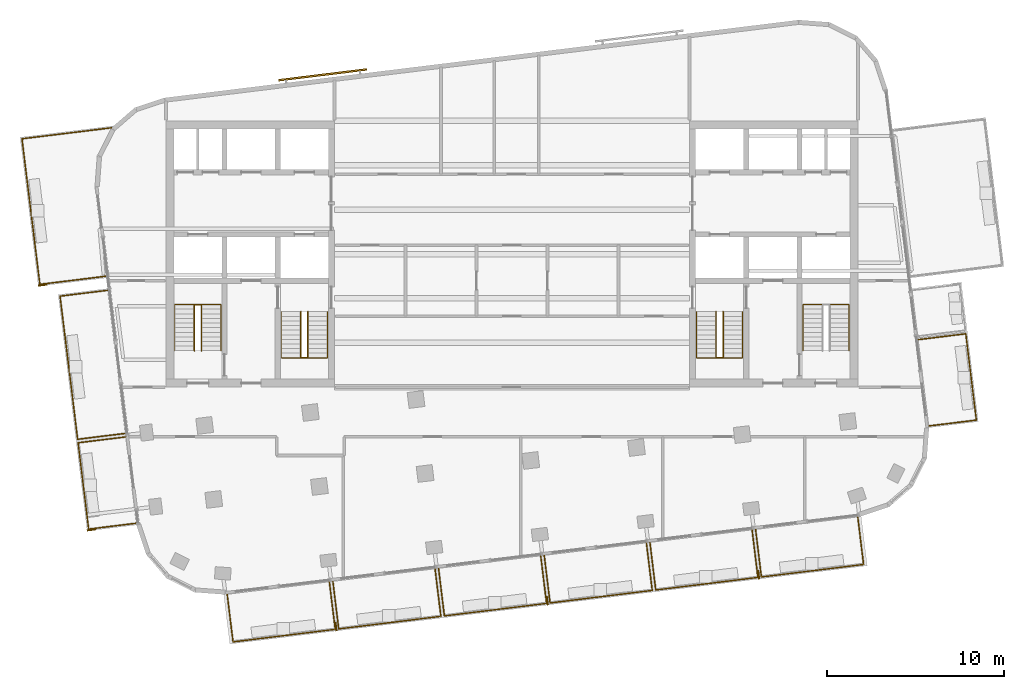
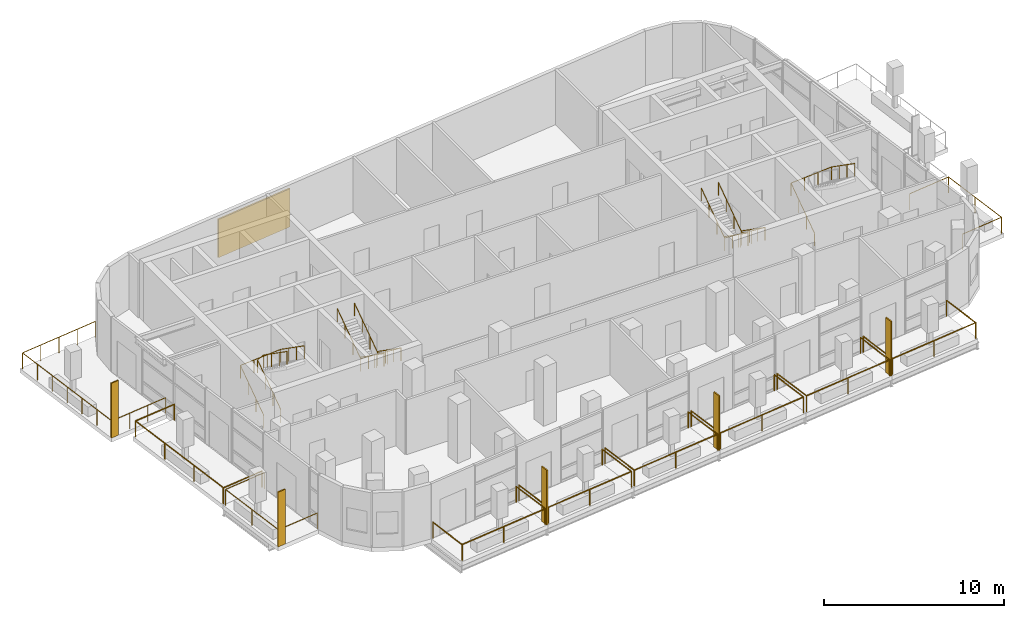
# One storey, part 12 of 14: 17 railings, 6 shading devices.
"""IFC4 building model written with IfcOpenShell, lengths in metres."""

from ifc_helpers import new_model, si_unit, direction, frame, origin, origin_2d, place, context, subcontext, project, spatial, rectangle, circle, extrude, material, layer, layer_set, type_object, element, save


model = new_model("IFC4")

# Units and contexts
model_context = context("Model", 3, precision=1e-05, world=origin(), true_north=direction((0.0, 1.0)))
body_context = subcontext(model_context, "Body", "Model", "MODEL_VIEW")
ifc_project = project(units=[si_unit("LENGTHUNIT", "METRE"), si_unit("AREAUNIT", "SQUARE_METRE"), si_unit("VOLUMEUNIT", "CUBIC_METRE"), si_unit("PLANEANGLEUNIT", "RADIAN"), si_unit("MASSUNIT", "GRAM", prefix="KILO")], contexts=[model_context])

# Site, building, storey
site_placement = place(None, origin())
site = spatial("IfcSite", under=ifc_project, at=site_placement, CompositionType="ELEMENT")
building_placement = place(site_placement, origin())
building = spatial("IfcBuilding", under=site, at=building_placement, Name="Torana Hotel and Residences", CompositionType="ELEMENT")
storey_placement = place(building_placement, frame((0.0, 0.0, 338.60009765625)))
storey = spatial("IfcBuildingStorey", under=building, at=storey_placement, Name="L89", CompositionType="ELEMENT", Elevation=338.60009765625)

# Shading devices
ifc_material_1 = material(Name="Black powder coated aluminium", Category="aluminium")
ifc_layer_1 = layer(ifc_material_1, 0.080078125)
ifc_layer_set_1 = layer_set([ifc_layer_1], Name="FN1 VERTICAL FIN 500x80")
shading_device_type_1 = type_object("IfcShadingDeviceType", Name="FN1 VERTICAL FIN 500x80", PredefinedType="USERDEFINED", material=ifc_layer_set_1)
for number, where, z_axis, x_axis, name in (
    (1, (-9.921142578125, -28.4931640625, 0.0), (0.0, 0.0, 1.0), (-0.99254657704, -0.121865878765, 0.0), "Fin 01"),
    (2, (1.989501953125, -27.03076171875, 0.0), (0.0, 0.0, 1.0), (-0.99254657704, -0.121865878765, 0.0), "Fin 03"),
    (3, (13.89990234375, -25.568359375, 0.0), (0.0, 0.0, 1.0), (-0.99254657704, -0.121865878765, 0.0), "Fin 05"),
    (4, (-23.6982421875, -23.04150390625, 0.0), (0.0, 0.0, 1.0), (-0.121881469635, 0.992544662652, 0.0), "Fin 07"),
    (5, (-26.44970703125, -9.2490234375, 0.0), (0.0, 0.0, 1.0), (-0.121871075725, 0.992545938938, 0.0), "Fin 09"),
):
    element("IfcShadingDevice", number, at=place(storey_placement, frame(where, z_axis=z_axis, x_axis=x_axis)), inside=storey, type_object=shading_device_type_1, Name=name, ObjectType="FIN", PredefinedType="USERDEFINED", context=body_context, shape_type="SweptSolid", body=[
        extrude(rectangle(XDim=0.080078125, YDim=0.5, at=origin_2d()), origin(), (0.0, 0.0, 1.0), 3.719970703125),
    ])

# Railings
ifc_material_2 = material(Name="Laminated glass balustrade with black handrail", Category="glass")
railing_type_1 = type_object("IfcRailingType", Name="GR1 BALCONY GUARD 1100 GLASS", PredefinedType="GUARDRAIL", material=ifc_material_2)
railing_1_placement = place(storey_placement, frame((-10.29150390625, -25.969482421875, 0.0)))
element("IfcRailing", 6, at=railing_1_placement, inside=storey, type_object=railing_type_1, Name="Balcony guard 01", PredefinedType="GUARDRAIL", context=body_context, shape_type="SweptSolid", body=[
    extrude(circle(Radius=0.02392578125, at=origin_2d()), frame((0.0, 0.0, 1.076171875), z_axis=(0.121886613265, -0.992544031017, 0.0), x_axis=(0.992544031017, 0.121886613265, 0.0)), (0.0, 0.0, 1.0), 2.699951171875),
    extrude(circle(Radius=0.02392578125, at=origin_2d()), frame((0.3291015625, -2.679931640625, 1.076171875), z_axis=(-0.992547475119, -0.121858564057, 0.0), x_axis=(0.121858564057, -0.992547475119, 0.0)), (0.0, 0.0, 1.0), 5.800048828125),
    extrude(circle(Radius=0.02392578125, at=origin_2d()), frame((-5.427734375, -3.38671875, 1.076171875), z_axis=(-0.121797534772, 0.992554965996, 0.0), x_axis=(-0.992554965996, -0.121797534772, 0.0)), (0.0, 0.0, 1.0), 2.699951171875),
    extrude(circle(Radius=0.02099609375, at=origin_2d()), origin(), (0.0, 0.0, 1.0), 1.052001953125),
    extrude(circle(Radius=0.02099609375, at=origin_2d()), frame((0.3291015625, -2.679931640625, 0.0)), (0.0, 0.0, 1.0), 1.052001953125),
    extrude(circle(Radius=0.02099609375, at=origin_2d()), frame((-2.54931640625, -3.033203125, 0.0)), (0.0, 0.0, 1.0), 1.052001953125),
    extrude(circle(Radius=0.02099609375, at=origin_2d()), frame((-5.427734375, -3.38671875, 0.0)), (0.0, 0.0, 1.0), 1.052001953125),
    extrude(circle(Radius=0.02099609375, at=origin_2d()), frame((-5.756591796875, -0.706787109375, 0.0)), (0.0, 0.0, 1.0), 1.052001953125),
])
for number, where, name in (
    (7, (-4.336181640625, -25.23828125, 0.0), "Balcony guard 02"),
    (8, (1.619140625, -24.507080078125, 0.0), "Balcony guard 03"),
):
    element("IfcRailing", number, at=place(storey_placement, frame(where)), inside=storey, type_object=railing_type_1, Name=name, PredefinedType="GUARDRAIL", context=body_context, shape_type="SweptSolid", body=[
        extrude(circle(Radius=0.02392578125, at=origin_2d()), frame((0.0, 0.0, 1.076171875), z_axis=(0.121886613265, -0.992544031017, 0.0), x_axis=(0.992544031017, 0.121886613265, 0.0)), (0.0, 0.0, 1.0), 2.699951171875),
        extrude(circle(Radius=0.02392578125, at=origin_2d()), frame((0.3291015625, -2.679931640625, 1.076171875), z_axis=(-0.992547475119, -0.121858564057, 0.0), x_axis=(0.121858564057, -0.992547475119, 0.0)), (0.0, 0.0, 1.0), 5.800048828125),
        extrude(circle(Radius=0.02392578125, at=origin_2d()), frame((-5.427734375, -3.38671875, 1.076171875), z_axis=(-0.121886613265, 0.992544031017, 0.0), x_axis=(-0.992544031017, -0.121886613265, 0.0)), (0.0, 0.0, 1.0), 2.699951171875),
        extrude(circle(Radius=0.02099609375, at=origin_2d()), origin(), (0.0, 0.0, 1.0), 1.052001953125),
        extrude(circle(Radius=0.02099609375, at=origin_2d()), frame((0.3291015625, -2.679931640625, 0.0)), (0.0, 0.0, 1.0), 1.052001953125),
        extrude(circle(Radius=0.02099609375, at=origin_2d()), frame((-2.54931640625, -3.033203125, 0.0)), (0.0, 0.0, 1.0), 1.052001953125),
        extrude(circle(Radius=0.02099609375, at=origin_2d()), frame((-5.427734375, -3.38671875, 0.0)), (0.0, 0.0, 1.0), 1.052001953125),
        extrude(circle(Radius=0.02099609375, at=origin_2d()), frame((-5.7568359375, -0.706787109375, 0.0)), (0.0, 0.0, 1.0), 1.052001953125),
    ])
railing_2_placement = place(storey_placement, frame((7.57421875, -23.77587890625, 0.0)))
element("IfcRailing", 9, at=railing_2_placement, inside=storey, type_object=railing_type_1, Name="Balcony guard 04", PredefinedType="GUARDRAIL", context=body_context, shape_type="SweptSolid", body=[
    extrude(circle(Radius=0.02392578125, at=origin_2d()), frame((0.0, 0.0, 1.076171875), z_axis=(0.121886613265, -0.992544031017, 0.0), x_axis=(0.992544031017, 0.121886613265, 0.0)), (0.0, 0.0, 1.0), 2.699951171875),
    extrude(circle(Radius=0.02392578125, at=origin_2d()), frame((0.3291015625, -2.679931640625, 1.076171875), z_axis=(-0.992546850023, -0.121863655406, 0.0), x_axis=(0.121863655406, -0.992546850023, 0.0)), (0.0, 0.0, 1.0), 5.7998046875),
    extrude(circle(Radius=0.02392578125, at=origin_2d()), frame((-5.427490234375, -3.38671875, 1.076171875), z_axis=(-0.121886613265, 0.992544031017, 0.0), x_axis=(-0.992544031017, -0.121886613265, 0.0)), (0.0, 0.0, 1.0), 2.699951171875),
    extrude(circle(Radius=0.02099609375, at=origin_2d()), origin(), (0.0, 0.0, 1.0), 1.052001953125),
    extrude(circle(Radius=0.02099609375, at=origin_2d()), frame((0.3291015625, -2.679931640625, 0.0)), (0.0, 0.0, 1.0), 1.052001953125),
    extrude(circle(Radius=0.02099609375, at=origin_2d()), frame((-2.54931640625, -3.033203125, 0.0)), (0.0, 0.0, 1.0), 1.052001953125),
    extrude(circle(Radius=0.02099609375, at=origin_2d()), frame((-5.427490234375, -3.38671875, 0.0)), (0.0, 0.0, 1.0), 1.052001953125),
    extrude(circle(Radius=0.02099609375, at=origin_2d()), frame((-5.756591796875, -0.706787109375, 0.0)), (0.0, 0.0, 1.0), 1.052001953125),
])
for number, where, name in (
    (10, (13.529541015625, -23.044677734375, 0.0), "Balcony guard 05"),
    (11, (19.48486328125, -22.3134765625, 0.0), "Balcony guard 06"),
):
    element("IfcRailing", number, at=place(storey_placement, frame(where)), inside=storey, type_object=railing_type_1, Name=name, PredefinedType="GUARDRAIL", context=body_context, shape_type="SweptSolid", body=[
        extrude(circle(Radius=0.02392578125, at=origin_2d()), frame((0.0, 0.0, 1.076171875), z_axis=(0.121886613265, -0.992544031017, 0.0), x_axis=(0.992544031017, 0.121886613265, 0.0)), (0.0, 0.0, 1.0), 2.699951171875),
        extrude(circle(Radius=0.02392578125, at=origin_2d()), frame((0.3291015625, -2.679931640625, 1.076171875), z_axis=(-0.992547475119, -0.121858564057, 0.0), x_axis=(0.121858564057, -0.992547475119, 0.0)), (0.0, 0.0, 1.0), 5.800048828125),
        extrude(circle(Radius=0.02392578125, at=origin_2d()), frame((-5.427734375, -3.38671875, 1.076171875), z_axis=(-0.121797534772, 0.992554965996, 0.0), x_axis=(-0.992554965996, -0.121797534772, 0.0)), (0.0, 0.0, 1.0), 2.699951171875),
        extrude(circle(Radius=0.02099609375, at=origin_2d()), origin(), (0.0, 0.0, 1.0), 1.052001953125),
        extrude(circle(Radius=0.02099609375, at=origin_2d()), frame((0.3291015625, -2.679931640625, 0.0)), (0.0, 0.0, 1.0), 1.052001953125),
        extrude(circle(Radius=0.02099609375, at=origin_2d()), frame((-2.54931640625, -3.033203125, 0.0)), (0.0, 0.0, 1.0), 1.052001953125),
        extrude(circle(Radius=0.02099609375, at=origin_2d()), frame((-5.427734375, -3.38671875, 0.0)), (0.0, 0.0, 1.0), 1.052001953125),
        extrude(circle(Radius=0.02099609375, at=origin_2d()), frame((-5.756591796875, -0.706787109375, 0.0)), (0.0, 0.0, 1.0), 1.052001953125),
    ])
railing_3_placement = place(storey_placement, frame((-21.174560546875, -22.671142578125, 0.0)))
element("IfcRailing", 12, at=railing_3_placement, inside=storey, type_object=railing_type_1, Name="Balcony guard 07", PredefinedType="GUARDRAIL", context=body_context, shape_type="SweptSolid", body=[
    extrude(circle(Radius=0.02392578125, at=origin_2d()), frame((0.0, 0.0, 1.076171875), z_axis=(-0.992544031017, -0.121886613265, 0.0), x_axis=(0.121886613265, -0.992544031017, 0.0)), (0.0, 0.0, 1.0), 2.699951171875),
    extrude(circle(Radius=0.02392578125, at=origin_2d()), frame((-2.679931640625, -0.3291015625, 1.076171875), z_axis=(-0.121869773493, 0.992546098833, 0.0), x_axis=(-0.992546098833, -0.121869773493, 0.0)), (0.0, 0.0, 1.0), 4.900146484375),
    extrude(circle(Radius=0.02392578125, at=origin_2d()), frame((-3.277099609375, 4.534423828125, 1.076171875), z_axis=(0.992554965996, 0.121797534772, 0.0), x_axis=(-0.121797534772, 0.992554965996, 0.0)), (0.0, 0.0, 1.0), 2.699951171875),
    extrude(circle(Radius=0.02099609375, at=origin_2d()), origin(), (0.0, 0.0, 1.0), 1.052001953125),
    extrude(circle(Radius=0.02099609375, at=origin_2d()), frame((-2.679931640625, -0.3291015625, 0.0)), (0.0, 0.0, 1.0), 1.052001953125),
    extrude(circle(Radius=0.02099609375, at=origin_2d()), frame((-2.978515625, 2.1025390625, 0.0)), (0.0, 0.0, 1.0), 1.052001953125),
    extrude(circle(Radius=0.02099609375, at=origin_2d()), frame((-3.277099609375, 4.534423828125, 0.0)), (0.0, 0.0, 1.0), 1.052001953125),
    extrude(circle(Radius=0.02099609375, at=origin_2d()), frame((-0.59716796875, 4.86328125, 0.0)), (0.0, 0.0, 1.0), 1.052001953125),
])
railing_4_placement = place(storey_placement, frame((-21.796142578125, -17.609130859375, 0.0)))
element("IfcRailing", 13, at=railing_4_placement, inside=storey, type_object=railing_type_1, Name="Balcony guard 08", PredefinedType="GUARDRAIL", context=body_context, shape_type="SweptSolid", body=[
    extrude(circle(Radius=0.02392578125, at=origin_2d()), frame((0.0, 0.0, 1.076171875), z_axis=(-0.992544031017, -0.121886613265, 0.0), x_axis=(0.121886613265, -0.992544031017, 0.0)), (0.0, 0.0, 1.0), 2.699951171875),
    extrude(circle(Radius=0.02392578125, at=origin_2d()), frame((-2.679931640625, -0.3291015625, 1.076171875), z_axis=(-0.121845081243, 0.992549130359, 0.0), x_axis=(-0.992549130359, -0.121845081243, 0.0)), (0.0, 0.0, 1.0), 8.125),
    extrude(circle(Radius=0.02392578125, at=origin_2d()), frame((-3.669921875, 7.7353515625, 1.076171875), z_axis=(0.992554965996, 0.121797534772, 0.0), x_axis=(-0.121797534772, 0.992554965996, 0.0)), (0.0, 0.0, 1.0), 2.699951171875),
    extrude(circle(Radius=0.02099609375, at=origin_2d()), origin(), (0.0, 0.0, 1.0), 1.052001953125),
    extrude(circle(Radius=0.02099609375, at=origin_2d()), frame((-2.679931640625, -0.3291015625, 0.0)), (0.0, 0.0, 1.0), 1.052001953125),
    extrude(circle(Radius=0.02099609375, at=origin_2d()), frame((-3.010009765625, 2.359130859375, 0.0)), (0.0, 0.0, 1.0), 1.052001953125),
    extrude(circle(Radius=0.02099609375, at=origin_2d()), frame((-3.33984375, 5.047119140625, 0.0)), (0.0, 0.0, 1.0), 1.052001953125),
    extrude(circle(Radius=0.02099609375, at=origin_2d()), frame((-3.669921875, 7.7353515625, 0.0)), (0.0, 0.0, 1.0), 1.052001953125),
    extrude(circle(Radius=0.02099609375, at=origin_2d()), frame((-0.989990234375, 8.064208984375, 0.0)), (0.0, 0.0, 1.0), 1.052001953125),
])
railing_5_placement = place(storey_placement, frame((-22.8837890625, -8.750732421875, 0.0)))
element("IfcRailing", 14, at=railing_5_placement, inside=storey, type_object=railing_type_1, Name="Balcony guard 09", PredefinedType="GUARDRAIL", context=body_context, shape_type="SweptSolid", body=[
    extrude(circle(Radius=0.02392578125, at=origin_2d()), frame((0.0, 0.0, 1.076171875), z_axis=(-0.992544975267, -0.121878923824, 0.0), x_axis=(0.121878923824, -0.992544975267, 0.0)), (0.0, 0.0, 1.0), 3.75),
    extrude(circle(Radius=0.02392578125, at=origin_2d()), frame((-3.721923828125, -0.45703125, 1.076171875), z_axis=(-0.121878024543, 0.992545085693, 0.0), x_axis=(-0.992545085693, -0.121878024543, 0.0)), (0.0, 0.0, 1.0), 8.262939453125),
    extrude(circle(Radius=0.02392578125, at=origin_2d()), frame((-4.72900390625, 7.744384765625, 1.076171875), z_axis=(0.992542638755, 0.12189795016, 0.0), x_axis=(-0.12189795016, 0.992542638755, 0.0)), (0.0, 0.0, 1.0), 5.0771484375),
    extrude(circle(Radius=0.02099609375, at=origin_2d()), origin(), (0.0, 0.0, 1.0), 1.052001953125),
    extrude(circle(Radius=0.02099609375, at=origin_2d()), frame((-1.24072265625, -0.15234375, 0.0)), (0.0, 0.0, 1.0), 1.052001953125),
    extrude(circle(Radius=0.02099609375, at=origin_2d()), frame((-2.481201171875, -0.3046875, 0.0)), (0.0, 0.0, 1.0), 1.052001953125),
    extrude(circle(Radius=0.02099609375, at=origin_2d()), frame((-3.721923828125, -0.45703125, 0.0)), (0.0, 0.0, 1.0), 1.052001953125),
    extrude(circle(Radius=0.02099609375, at=origin_2d()), frame((-3.8896484375, 0.909912109375, 0.0)), (0.0, 0.0, 1.0), 1.052001953125),
    extrude(circle(Radius=0.02099609375, at=origin_2d()), frame((-4.0576171875, 2.27685546875, 0.0)), (0.0, 0.0, 1.0), 1.052001953125),
    extrude(circle(Radius=0.02099609375, at=origin_2d()), frame((-4.2255859375, 3.6435546875, 0.0)), (0.0, 0.0, 1.0), 1.052001953125),
    extrude(circle(Radius=0.02099609375, at=origin_2d()), frame((-4.393310546875, 5.010498046875, 0.0)), (0.0, 0.0, 1.0), 1.052001953125),
    extrude(circle(Radius=0.02099609375, at=origin_2d()), frame((-4.56103515625, 6.37744140625, 0.0)), (0.0, 0.0, 1.0), 1.052001953125),
    extrude(circle(Radius=0.02099609375, at=origin_2d()), frame((-4.72900390625, 7.744384765625, 0.0)), (0.0, 0.0, 1.0), 1.052001953125),
    extrude(circle(Radius=0.02099609375, at=origin_2d()), frame((-3.46923828125, 7.899169921875, 0.0)), (0.0, 0.0, 1.0), 1.052001953125),
    extrude(circle(Radius=0.02099609375, at=origin_2d()), frame((-2.20947265625, 8.0537109375, 0.0)), (0.0, 0.0, 1.0), 1.052001953125),
    extrude(circle(Radius=0.02099609375, at=origin_2d()), frame((-0.949462890625, 8.20849609375, 0.0)), (0.0, 0.0, 1.0), 1.052001953125),
    extrude(circle(Radius=0.02099609375, at=origin_2d()), frame((0.310302734375, 8.36328125, 0.0)), (0.0, 0.0, 1.0), 1.052001953125),
])
railing_6_placement = place(storey_placement, frame((22.892822265625, -12.32373046875, 0.0)))
element("IfcRailing", 15, at=railing_6_placement, inside=storey, type_object=railing_type_1, Name="Balcony guard 10", PredefinedType="GUARDRAIL", context=body_context, shape_type="SweptSolid", body=[
    extrude(circle(Radius=0.02392578125, at=origin_2d()), frame((0.0, 0.0, 1.076171875), z_axis=(0.992544031017, 0.121886613265, 0.0), x_axis=(-0.121886613265, 0.992544031017, 0.0)), (0.0, 0.0, 1.0), 2.699951171875),
    extrude(circle(Radius=0.02392578125, at=origin_2d()), frame((2.679931640625, 0.3291015625, 1.076171875), z_axis=(0.121869773493, -0.992546098833, 0.0), x_axis=(0.992546098833, 0.121869773493, 0.0)), (0.0, 0.0, 1.0), 4.900146484375),
    extrude(circle(Radius=0.02392578125, at=origin_2d()), frame((3.277099609375, -4.534423828125, 1.076171875), z_axis=(-0.992554965996, -0.121797534772, 0.0), x_axis=(0.121797534772, -0.992554965996, 0.0)), (0.0, 0.0, 1.0), 2.699951171875),
    extrude(circle(Radius=0.02099609375, at=origin_2d()), origin(), (0.0, 0.0, 1.0), 1.052001953125),
    extrude(circle(Radius=0.02099609375, at=origin_2d()), frame((2.679931640625, 0.3291015625, 0.0)), (0.0, 0.0, 1.0), 1.052001953125),
    extrude(circle(Radius=0.02099609375, at=origin_2d()), frame((2.978515625, -2.1025390625, 0.0)), (0.0, 0.0, 1.0), 1.052001953125),
    extrude(circle(Radius=0.02099609375, at=origin_2d()), frame((3.277099609375, -4.534423828125, 0.0)), (0.0, 0.0, 1.0), 1.052001953125),
    extrude(circle(Radius=0.02099609375, at=origin_2d()), frame((0.59716796875, -4.86328125, 0.0)), (0.0, 0.0, 1.0), 1.052001953125),
])

# Shading device
ifc_material_3 = material(Name="Concrete C40/50 precast", Category="concrete")
ifc_layer_2 = layer(ifc_material_3, 0.10009765625)
ifc_layer_set_2 = layer_set([ifc_layer_2], Name="SC1 PERFORATED BLOCK SCREEN PANEL 100")
shading_device_type_2 = type_object("IfcShadingDeviceType", Name="SC1 PERFORATED BLOCK SCREEN PANEL 100", PredefinedType="USERDEFINED", material=ifc_layer_set_2)
shading_device_placement = place(storey_placement, frame((-10.663330078125, 2.59814453125, 0.499755859375), z_axis=(0.0, 0.0, 1.0), x_axis=(-0.99254657704, -0.121865878765, 0.0)))
element("IfcShadingDevice", 16, at=shading_device_placement, inside=storey, type_object=shading_device_type_2, Name="Perforated block screen L89", ObjectType="SCREEN", PredefinedType="USERDEFINED", context=body_context, shape_type="SweptSolid", body=[
    extrude(rectangle(XDim=5.0, YDim=0.10009765625, at=origin_2d()), origin(), (0.0, 0.0, 1.0), 2.60009765625),
])

# Railings
ifc_material_4 = material(Name="Stainless steel 316", Category="steel")
railing_type_2 = type_object("IfcRailingType", Name="STAIR HANDRAIL HR1 900", PredefinedType="HANDRAIL", material=ifc_material_4)
railing_7_placement = place(storey_placement, frame((-10.39990234375, -10.75, 0.181640625)))
element("IfcRailing", 17, at=railing_7_placement, inside=storey, type_object=railing_type_2, Name="Handrail ST1 L89 O1", PredefinedType="HANDRAIL", context=body_context, shape_type="SweptSolid", body=[
    extrude(circle(Radius=0.02392578125, at=origin_2d()), frame((0.0, 0.0, 0.8759765625), z_axis=(0.0, -0.819484887739, 0.573100792852), x_axis=(1.0, 0.0, 0.0)), (0.0, 0.0, 1.0), 3.1728515625),
    extrude(circle(Radius=0.02392578125, at=origin_2d()), frame((0.0, -2.60009765625, 2.6943359375), z_axis=(-0.997568744571, 0.0, 0.06968930948), x_axis=(0.0, -1.0, 0.0)), (0.0, 0.0, 1.0), 2.6064453125),
    extrude(circle(Radius=0.02392578125, at=origin_2d()), frame((-2.60009765625, -2.60009765625, 2.8759765625), z_axis=(0.0, 0.819484887739, 0.573100792852), x_axis=(-1.0, 0.0, 0.0)), (0.0, 0.0, 1.0), 3.1728515625),
    extrude(circle(Radius=0.02099609375, at=origin_2d()), origin(), (0.0, 0.0, 1.0), 0.851806640625),
    extrude(circle(Radius=0.02099609375, at=origin_2d()), frame((0.0, -0.86669921875, 0.606201171875)), (0.0, 0.0, 1.0), 0.851806640625),
    extrude(circle(Radius=0.02099609375, at=origin_2d()), frame((0.0, -1.7333984375, 1.212158203125)), (0.0, 0.0, 1.0), 0.851806640625),
    extrude(circle(Radius=0.02099609375, at=origin_2d()), frame((0.0, -2.60009765625, 1.818359375)), (0.0, 0.0, 1.0), 0.851806640625),
    extrude(circle(Radius=0.02099609375, at=origin_2d()), frame((-0.86669921875, -2.60009765625, 1.87890625)), (0.0, 0.0, 1.0), 0.851806640625),
    extrude(circle(Radius=0.02099609375, at=origin_2d()), frame((-1.7333984375, -2.60009765625, 1.939453125)), (0.0, 0.0, 1.0), 0.851806640625),
    extrude(circle(Radius=0.02099609375, at=origin_2d()), frame((-2.60009765625, -2.60009765625, 2.0)), (0.0, 0.0, 1.0), 0.851806640625),
    extrude(circle(Radius=0.02099609375, at=origin_2d()), frame((-2.60009765625, -1.7333984375, 2.606201171875)), (0.0, 0.0, 1.0), 0.851806640625),
    extrude(circle(Radius=0.02099609375, at=origin_2d()), frame((-2.60009765625, -0.86669921875, 3.212158203125)), (0.0, 0.0, 1.0), 0.851806640625),
    extrude(circle(Radius=0.02099609375, at=origin_2d()), frame((-2.60009765625, 0.0, 3.818359375)), (0.0, 0.0, 1.0), 0.851806640625),
])
railing_8_placement = place(storey_placement, frame((-11.5, -10.75, 0.181640625)))
element("IfcRailing", 18, at=railing_8_placement, inside=storey, type_object=railing_type_2, Name="Handrail ST1 L89 I1", PredefinedType="HANDRAIL", context=body_context, shape_type="SweptSolid", body=[
    extrude(circle(Radius=0.02392578125, at=origin_2d()), frame((0.0, 0.0, 0.8759765625), z_axis=(0.0, -0.819484887739, 0.573100792852), x_axis=(1.0, 0.0, 0.0)), (0.0, 0.0, 1.0), 3.1728515625),
    extrude(circle(Radius=0.02392578125, at=origin_2d()), frame((0.0, -2.60009765625, 2.6943359375), z_axis=(-0.910480658332, 0.0, 0.413551654334), x_axis=(0.0, -1.0, 0.0)), (0.0, 0.0, 1.0), 0.439208984375),
    extrude(circle(Radius=0.02392578125, at=origin_2d()), frame((-0.39990234375, -2.60009765625, 2.8759765625), z_axis=(0.0, 0.819484887739, 0.573100792852), x_axis=(-1.0, 0.0, 0.0)), (0.0, 0.0, 1.0), 3.1728515625),
    extrude(circle(Radius=0.02099609375, at=origin_2d()), origin(), (0.0, 0.0, 1.0), 0.851806640625),
    extrude(circle(Radius=0.02099609375, at=origin_2d()), frame((0.0, -0.86669921875, 0.606201171875)), (0.0, 0.0, 1.0), 0.851806640625),
    extrude(circle(Radius=0.02099609375, at=origin_2d()), frame((0.0, -1.7333984375, 1.212158203125)), (0.0, 0.0, 1.0), 0.851806640625),
    extrude(circle(Radius=0.02099609375, at=origin_2d()), frame((0.0, -2.60009765625, 1.818359375)), (0.0, 0.0, 1.0), 0.851806640625),
    extrude(circle(Radius=0.02099609375, at=origin_2d()), frame((-0.39990234375, -2.60009765625, 2.0)), (0.0, 0.0, 1.0), 0.851806640625),
    extrude(circle(Radius=0.02099609375, at=origin_2d()), frame((-0.39990234375, -1.7333984375, 2.606201171875)), (0.0, 0.0, 1.0), 0.851806640625),
    extrude(circle(Radius=0.02099609375, at=origin_2d()), frame((-0.39990234375, -0.86669921875, 3.212158203125)), (0.0, 0.0, 1.0), 0.851806640625),
    extrude(circle(Radius=0.02099609375, at=origin_2d()), frame((-0.39990234375, 0.0, 3.818359375)), (0.0, 0.0, 1.0), 0.851806640625),
])
railing_9_placement = place(storey_placement, frame((-19.0, -12.949951171875, 0.181640625)))
element("IfcRailing", 19, at=railing_9_placement, inside=storey, type_object=railing_type_2, Name="Handrail ST2 L89 O1", PredefinedType="HANDRAIL", context=body_context, shape_type="SweptSolid", body=[
    extrude(circle(Radius=0.02392578125, at=origin_2d()), frame((0.0, 0.0, 0.8759765625), z_axis=(0.0, 0.819459612548, 0.573136932506), x_axis=(-1.0, 0.0, 0.0)), (0.0, 0.0, 1.0), 3.172607421875),
    extrude(circle(Radius=0.02392578125, at=origin_2d()), frame((0.0, 2.599853515625, 2.6943359375), z_axis=(0.997568744571, 0.0, 0.06968930948), x_axis=(0.0, 1.0, 0.0)), (0.0, 0.0, 1.0), 2.6064453125),
    extrude(circle(Radius=0.02392578125, at=origin_2d()), frame((2.60009765625, 2.599853515625, 2.8759765625), z_axis=(0.0, -0.819459612548, 0.573136932506), x_axis=(1.0, 0.0, 0.0)), (0.0, 0.0, 1.0), 3.172607421875),
    extrude(circle(Radius=0.02099609375, at=origin_2d()), origin(), (0.0, 0.0, 1.0), 0.851806640625),
    extrude(circle(Radius=0.02099609375, at=origin_2d()), frame((0.0, 0.86669921875, 0.606201171875)), (0.0, 0.0, 1.0), 0.851806640625),
    extrude(circle(Radius=0.02099609375, at=origin_2d()), frame((0.0, 1.733154296875, 1.212158203125)), (0.0, 0.0, 1.0), 0.851806640625),
    extrude(circle(Radius=0.02099609375, at=origin_2d()), frame((0.0, 2.599853515625, 1.818359375)), (0.0, 0.0, 1.0), 0.851806640625),
    extrude(circle(Radius=0.02099609375, at=origin_2d()), frame((0.86669921875, 2.599853515625, 1.87890625)), (0.0, 0.0, 1.0), 0.851806640625),
    extrude(circle(Radius=0.02099609375, at=origin_2d()), frame((1.7333984375, 2.599853515625, 1.939453125)), (0.0, 0.0, 1.0), 0.851806640625),
    extrude(circle(Radius=0.02099609375, at=origin_2d()), frame((2.60009765625, 2.599853515625, 2.0)), (0.0, 0.0, 1.0), 0.851806640625),
    extrude(circle(Radius=0.02099609375, at=origin_2d()), frame((2.60009765625, 1.733154296875, 2.606201171875)), (0.0, 0.0, 1.0), 0.851806640625),
    extrude(circle(Radius=0.02099609375, at=origin_2d()), frame((2.60009765625, 0.86669921875, 3.212158203125)), (0.0, 0.0, 1.0), 0.851806640625),
    extrude(circle(Radius=0.02099609375, at=origin_2d()), frame((2.60009765625, 0.0, 3.818359375)), (0.0, 0.0, 1.0), 0.851806640625),
])
railing_10_placement = place(storey_placement, frame((-17.89990234375, -12.949951171875, 0.181640625)))
element("IfcRailing", 20, at=railing_10_placement, inside=storey, type_object=railing_type_2, Name="Handrail ST2 L89 I1", PredefinedType="HANDRAIL", context=body_context, shape_type="SweptSolid", body=[
    extrude(circle(Radius=0.02392578125, at=origin_2d()), frame((0.0, 0.0, 0.8759765625), z_axis=(0.0, 0.819459612548, 0.573136932506), x_axis=(-1.0, 0.0, 0.0)), (0.0, 0.0, 1.0), 3.172607421875),
    extrude(circle(Radius=0.02392578125, at=origin_2d()), frame((0.0, 2.599853515625, 2.6943359375), z_axis=(0.910480658332, 0.0, 0.413551654334), x_axis=(0.0, 1.0, 0.0)), (0.0, 0.0, 1.0), 0.439208984375),
    extrude(circle(Radius=0.02392578125, at=origin_2d()), frame((0.39990234375, 2.599853515625, 2.8759765625), z_axis=(0.0, -0.819459612548, 0.573136932506), x_axis=(1.0, 0.0, 0.0)), (0.0, 0.0, 1.0), 3.172607421875),
    extrude(circle(Radius=0.02099609375, at=origin_2d()), origin(), (0.0, 0.0, 1.0), 0.851806640625),
    extrude(circle(Radius=0.02099609375, at=origin_2d()), frame((0.0, 0.86669921875, 0.606201171875)), (0.0, 0.0, 1.0), 0.851806640625),
    extrude(circle(Radius=0.02099609375, at=origin_2d()), frame((0.0, 1.733154296875, 1.212158203125)), (0.0, 0.0, 1.0), 0.851806640625),
    extrude(circle(Radius=0.02099609375, at=origin_2d()), frame((0.0, 2.599853515625, 1.818359375)), (0.0, 0.0, 1.0), 0.851806640625),
    extrude(circle(Radius=0.02099609375, at=origin_2d()), frame((0.39990234375, 2.599853515625, 2.0)), (0.0, 0.0, 1.0), 0.851806640625),
    extrude(circle(Radius=0.02099609375, at=origin_2d()), frame((0.39990234375, 1.733154296875, 2.606201171875)), (0.0, 0.0, 1.0), 0.851806640625),
    extrude(circle(Radius=0.02099609375, at=origin_2d()), frame((0.39990234375, 0.86669921875, 3.212158203125)), (0.0, 0.0, 1.0), 0.851806640625),
    extrude(circle(Radius=0.02099609375, at=origin_2d()), frame((0.39990234375, 0.0, 3.818359375)), (0.0, 0.0, 1.0), 0.851806640625),
])
railing_11_placement = place(storey_placement, frame((13.0, -10.75, 0.181640625)))
element("IfcRailing", 21, at=railing_11_placement, inside=storey, type_object=railing_type_2, Name="Handrail ST3 L89 O1", PredefinedType="HANDRAIL", context=body_context, shape_type="SweptSolid", body=[
    extrude(circle(Radius=0.02392578125, at=origin_2d()), frame((0.0, 0.0, 0.8759765625), z_axis=(0.0, -0.819484887739, 0.573100792852), x_axis=(1.0, 0.0, 0.0)), (0.0, 0.0, 1.0), 3.1728515625),
    extrude(circle(Radius=0.02392578125, at=origin_2d()), frame((0.0, -2.60009765625, 2.6943359375), z_axis=(-0.997568744571, 0.0, 0.06968930948), x_axis=(0.0, -1.0, 0.0)), (0.0, 0.0, 1.0), 2.6064453125),
    extrude(circle(Radius=0.02392578125, at=origin_2d()), frame((-2.60009765625, -2.60009765625, 2.8759765625), z_axis=(0.0, 0.819484887739, 0.573100792852), x_axis=(-1.0, 0.0, 0.0)), (0.0, 0.0, 1.0), 3.1728515625),
    extrude(circle(Radius=0.02099609375, at=origin_2d()), origin(), (0.0, 0.0, 1.0), 0.851806640625),
    extrude(circle(Radius=0.02099609375, at=origin_2d()), frame((0.0, -0.86669921875, 0.606201171875)), (0.0, 0.0, 1.0), 0.851806640625),
    extrude(circle(Radius=0.02099609375, at=origin_2d()), frame((0.0, -1.7333984375, 1.212158203125)), (0.0, 0.0, 1.0), 0.851806640625),
    extrude(circle(Radius=0.02099609375, at=origin_2d()), frame((0.0, -2.60009765625, 1.818359375)), (0.0, 0.0, 1.0), 0.851806640625),
    extrude(circle(Radius=0.02099609375, at=origin_2d()), frame((-0.86669921875, -2.60009765625, 1.87890625)), (0.0, 0.0, 1.0), 0.851806640625),
    extrude(circle(Radius=0.02099609375, at=origin_2d()), frame((-1.7333984375, -2.60009765625, 1.939453125)), (0.0, 0.0, 1.0), 0.851806640625),
    extrude(circle(Radius=0.02099609375, at=origin_2d()), frame((-2.60009765625, -2.60009765625, 2.0)), (0.0, 0.0, 1.0), 0.851806640625),
    extrude(circle(Radius=0.02099609375, at=origin_2d()), frame((-2.60009765625, -1.7333984375, 2.606201171875)), (0.0, 0.0, 1.0), 0.851806640625),
    extrude(circle(Radius=0.02099609375, at=origin_2d()), frame((-2.60009765625, -0.86669921875, 3.212158203125)), (0.0, 0.0, 1.0), 0.851806640625),
    extrude(circle(Radius=0.02099609375, at=origin_2d()), frame((-2.60009765625, 0.0, 3.818359375)), (0.0, 0.0, 1.0), 0.851806640625),
])
railing_12_placement = place(storey_placement, frame((11.89990234375, -10.75, 0.181640625)))
element("IfcRailing", 22, at=railing_12_placement, inside=storey, type_object=railing_type_2, Name="Handrail ST3 L89 I1", PredefinedType="HANDRAIL", context=body_context, shape_type="SweptSolid", body=[
    extrude(circle(Radius=0.02392578125, at=origin_2d()), frame((0.0, 0.0, 0.8759765625), z_axis=(0.0, -0.819484887739, 0.573100792852), x_axis=(1.0, 0.0, 0.0)), (0.0, 0.0, 1.0), 3.1728515625),
    extrude(circle(Radius=0.02392578125, at=origin_2d()), frame((0.0, -2.60009765625, 2.6943359375), z_axis=(-0.910480658332, 0.0, 0.413551654334), x_axis=(0.0, -1.0, 0.0)), (0.0, 0.0, 1.0), 0.439208984375),
    extrude(circle(Radius=0.02392578125, at=origin_2d()), frame((-0.39990234375, -2.60009765625, 2.8759765625), z_axis=(0.0, 0.819484887739, 0.573100792852), x_axis=(-1.0, 0.0, 0.0)), (0.0, 0.0, 1.0), 3.1728515625),
    extrude(circle(Radius=0.02099609375, at=origin_2d()), origin(), (0.0, 0.0, 1.0), 0.851806640625),
    extrude(circle(Radius=0.02099609375, at=origin_2d()), frame((0.0, -0.86669921875, 0.606201171875)), (0.0, 0.0, 1.0), 0.851806640625),
    extrude(circle(Radius=0.02099609375, at=origin_2d()), frame((0.0, -1.7333984375, 1.212158203125)), (0.0, 0.0, 1.0), 0.851806640625),
    extrude(circle(Radius=0.02099609375, at=origin_2d()), frame((0.0, -2.60009765625, 1.818359375)), (0.0, 0.0, 1.0), 0.851806640625),
    extrude(circle(Radius=0.02099609375, at=origin_2d()), frame((-0.39990234375, -2.60009765625, 2.0)), (0.0, 0.0, 1.0), 0.851806640625),
    extrude(circle(Radius=0.02099609375, at=origin_2d()), frame((-0.39990234375, -1.7333984375, 2.606201171875)), (0.0, 0.0, 1.0), 0.851806640625),
    extrude(circle(Radius=0.02099609375, at=origin_2d()), frame((-0.39990234375, -0.86669921875, 3.212158203125)), (0.0, 0.0, 1.0), 0.851806640625),
    extrude(circle(Radius=0.02099609375, at=origin_2d()), frame((-0.39990234375, 0.0, 3.818359375)), (0.0, 0.0, 1.0), 0.851806640625),
])
railing_13_placement = place(storey_placement, frame((16.39990234375, -12.949951171875, 0.181640625)))
element("IfcRailing", 23, at=railing_13_placement, inside=storey, type_object=railing_type_2, Name="Handrail ST4 L89 O1", PredefinedType="HANDRAIL", context=body_context, shape_type="SweptSolid", body=[
    extrude(circle(Radius=0.02392578125, at=origin_2d()), frame((0.0, 0.0, 0.8759765625), z_axis=(0.0, 0.819459612548, 0.573136932506), x_axis=(-1.0, 0.0, 0.0)), (0.0, 0.0, 1.0), 3.172607421875),
    extrude(circle(Radius=0.02392578125, at=origin_2d()), frame((0.0, 2.599853515625, 2.6943359375), z_axis=(0.997568744571, 0.0, 0.06968930948), x_axis=(0.0, 1.0, 0.0)), (0.0, 0.0, 1.0), 2.6064453125),
    extrude(circle(Radius=0.02392578125, at=origin_2d()), frame((2.60009765625, 2.599853515625, 2.8759765625), z_axis=(0.0, -0.819459612548, 0.573136932506), x_axis=(1.0, 0.0, 0.0)), (0.0, 0.0, 1.0), 3.172607421875),
    extrude(circle(Radius=0.02099609375, at=origin_2d()), origin(), (0.0, 0.0, 1.0), 0.851806640625),
    extrude(circle(Radius=0.02099609375, at=origin_2d()), frame((0.0, 0.86669921875, 0.606201171875)), (0.0, 0.0, 1.0), 0.851806640625),
    extrude(circle(Radius=0.02099609375, at=origin_2d()), frame((0.0, 1.733154296875, 1.212158203125)), (0.0, 0.0, 1.0), 0.851806640625),
    extrude(circle(Radius=0.02099609375, at=origin_2d()), frame((0.0, 2.599853515625, 1.818359375)), (0.0, 0.0, 1.0), 0.851806640625),
    extrude(circle(Radius=0.02099609375, at=origin_2d()), frame((0.86669921875, 2.599853515625, 1.87890625)), (0.0, 0.0, 1.0), 0.851806640625),
    extrude(circle(Radius=0.02099609375, at=origin_2d()), frame((1.7333984375, 2.599853515625, 1.939453125)), (0.0, 0.0, 1.0), 0.851806640625),
    extrude(circle(Radius=0.02099609375, at=origin_2d()), frame((2.60009765625, 2.599853515625, 2.0)), (0.0, 0.0, 1.0), 0.851806640625),
    extrude(circle(Radius=0.02099609375, at=origin_2d()), frame((2.60009765625, 1.733154296875, 2.606201171875)), (0.0, 0.0, 1.0), 0.851806640625),
    extrude(circle(Radius=0.02099609375, at=origin_2d()), frame((2.60009765625, 0.86669921875, 3.212158203125)), (0.0, 0.0, 1.0), 0.851806640625),
    extrude(circle(Radius=0.02099609375, at=origin_2d()), frame((2.60009765625, 0.0, 3.818359375)), (0.0, 0.0, 1.0), 0.851806640625),
])

save(model, "model.ifc")
